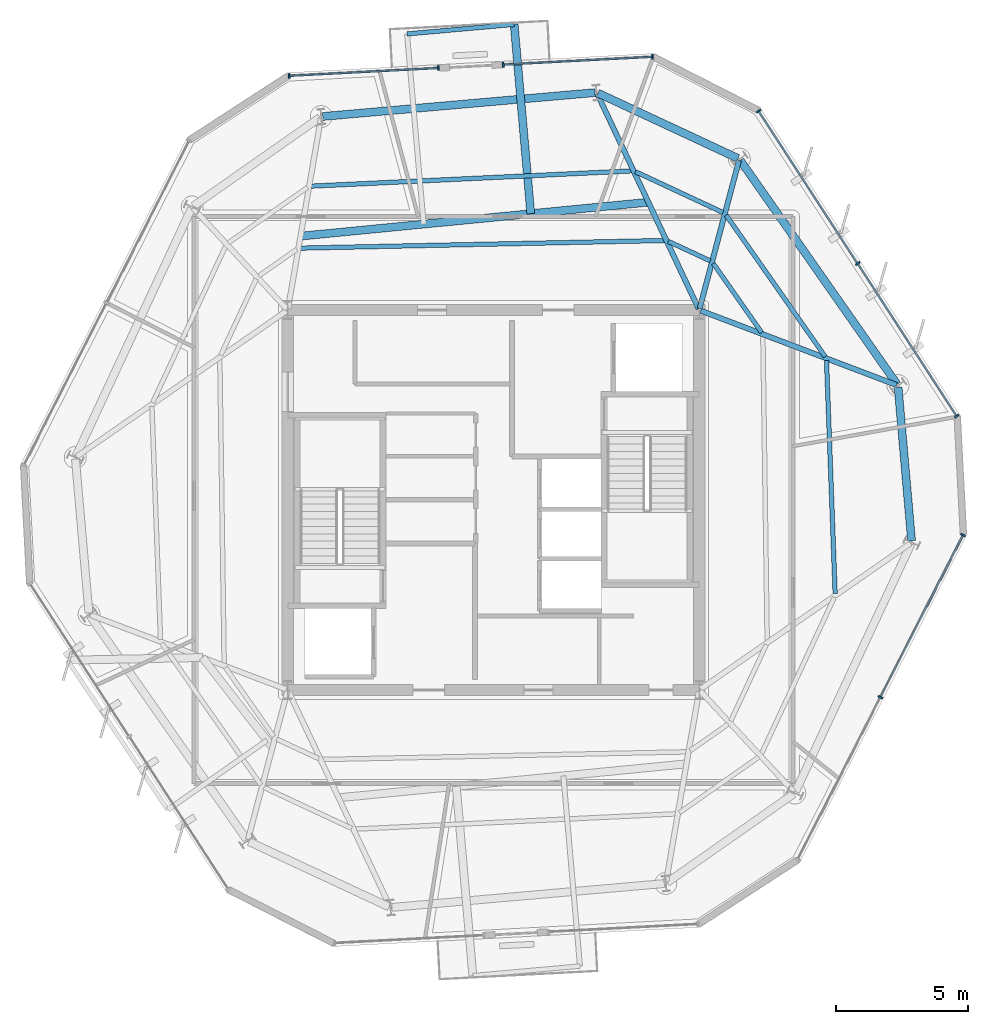
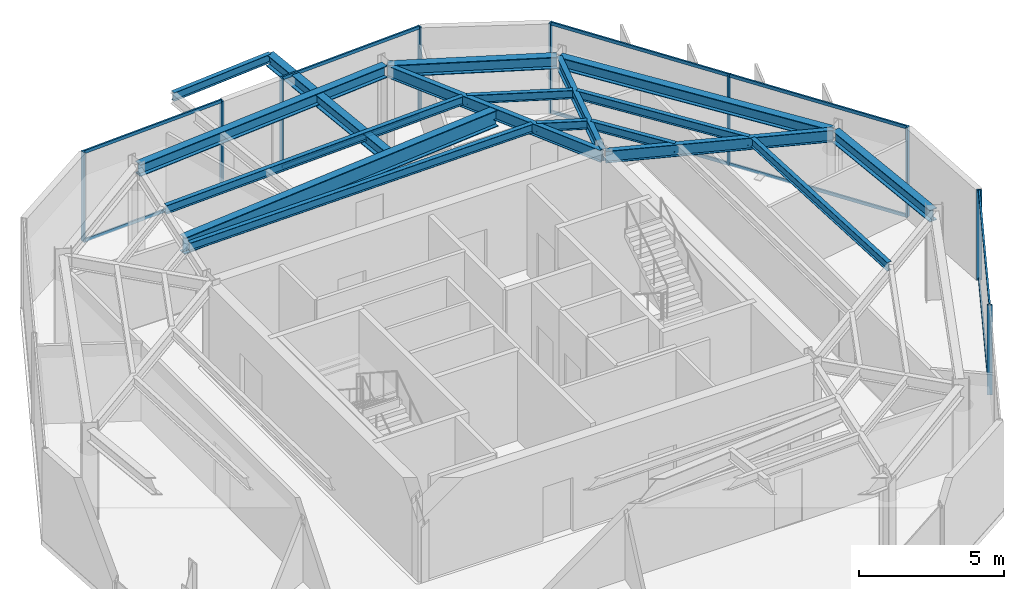
# One storey, part 4 of 11: 19 members, 17 beams, 4 elements without a shape of their own.
"""IFC4 building model written with IfcOpenShell, lengths in metres."""

from ifc_helpers import new_model, si_unit, direction, frame, origin, origin_2d, place, context, subcontext, project, spatial, rectangle, i_section, extrude, material, layer, layer_set, material_profile, profile_set, type_object, element, aggregate, save


model = new_model("IFC4")

# Units and contexts
model_context = context("Model", 3, precision=1e-05, world=origin(), true_north=direction((0.0, 1.0)))
body_context = subcontext(model_context, "Body", "Model", "MODEL_VIEW")
ifc_project = project(units=[si_unit("LENGTHUNIT", "METRE"), si_unit("AREAUNIT", "SQUARE_METRE"), si_unit("VOLUMEUNIT", "CUBIC_METRE"), si_unit("PLANEANGLEUNIT", "RADIAN"), si_unit("MASSUNIT", "GRAM", prefix="KILO")], contexts=[model_context])

# Site, building, storey
site_placement = place(None, origin())
site = spatial("IfcSite", under=ifc_project, at=site_placement, CompositionType="ELEMENT")
building_placement = place(site_placement, origin())
building = spatial("IfcBuilding", under=site, at=building_placement, Name="Kranzbogen Civic Tower", CompositionType="ELEMENT")
storey_placement = place(building_placement, frame((0.0, 0.0, 278.199951171875)))
storey = spatial("IfcBuildingStorey", under=building, at=storey_placement, Name="L67", CompositionType="ELEMENT", Elevation=278.199951171875)

# Curtain wall, members
ifc_material_1 = material(Name="Pale Anodised Aluminium", Category="aluminium")
ifc_layer = layer(ifc_material_1, 0.219970703125, Name="Pale Anodised Aluminium")
ifc_layer_set = layer_set([ifc_layer], Name="Pale Anodised Aluminium")
curtain_wall_type = type_object("IfcCurtainWallType", Name="Zone 4 Stick Curtain Wall System CW-05", PredefinedType="USERDEFINED", material=ifc_layer_set)
curtain_wall_1_placement = place(storey_placement, origin())
curtain_wall_1 = element("IfcCurtainWall", 1, at=curtain_wall_1_placement, inside=storey, type_object=curtain_wall_type, Name="L67 curtain wall CW-L67-F1-S1", ObjectType="STICK CURTAIN WALL", PredefinedType="USERDEFINED")
ifc_material_profile_1 = material_profile(ifc_material_1, rectangle(XDim=0.06494140625, YDim=0.179931640625, at=origin_2d()), Name="ALU-M 65x180")
ifc_profile_set_1 = profile_set([ifc_material_profile_1], Name="Pale Anodised Aluminium")
member_type_1 = type_object("IfcMemberType", Name="Curtain Wall Mullion ALU-M 65x180", PredefinedType="MULLION", material=ifc_profile_set_1)
member_1_placement = place(storey_placement, frame((31.026123046875, 41.800537109375, 0.0), z_axis=(0.0, 0.0, 1.0), x_axis=(-0.998626979061, -0.052384699027, 0.0)))
member_1 = element("IfcMember", 2, at=member_1_placement, type_object=member_type_1, Name="CW-05 mullion 1", PredefinedType="MULLION", context=body_context, shape_type="SweptSolid", body=[
    extrude(rectangle(XDim=0.06494140625, YDim=0.179931640625, at=origin_2d()), origin(), (0.0, 0.0, 1.0), 3.780029296875),
])
member_2_placement = place(storey_placement, frame((25.366943359375, 41.503662109375, 0.0), z_axis=(0.0, 0.0, 1.0), x_axis=(-0.998626979061, -0.052384699027, 0.0)))
member_2 = element("IfcMember", 3, at=member_2_placement, type_object=member_type_1, Name="CW-05 mullion 2", PredefinedType="MULLION", context=body_context, shape_type="SweptSolid", body=[
    extrude(rectangle(XDim=0.06494140625, YDim=0.179931640625, at=origin_2d()), origin(), (0.0, 0.0, 1.0), 3.780029296875),
])

curtain_wall_2_placement = place(storey_placement, origin())
curtain_wall_2 = element("IfcCurtainWall", 4, at=curtain_wall_2_placement, inside=storey, type_object=curtain_wall_type, Name="L67 curtain wall CW-L67-F1-S2", ObjectType="STICK CURTAIN WALL", PredefinedType="USERDEFINED")
member_3_placement = place(storey_placement, frame((22.91015625, 41.37548828125, 0.0), z_axis=(0.0, 0.0, 1.0), x_axis=(-0.998626979061, -0.052384699027, 0.0)))
member_3 = element("IfcMember", 5, at=member_3_placement, type_object=member_type_1, Name="CW-05 mullion 1", PredefinedType="MULLION", context=body_context, shape_type="SweptSolid", body=[
    extrude(rectangle(XDim=0.06494140625, YDim=0.179931640625, at=origin_2d()), origin(), (0.0, 0.0, 1.0), 3.780029296875),
])
member_4_placement = place(storey_placement, frame((17.2509765625, 41.07861328125, 0.0), z_axis=(0.0, 0.0, 1.0), x_axis=(-0.998626979061, -0.052384699027, 0.0)))
member_4 = element("IfcMember", 6, at=member_4_placement, type_object=member_type_1, Name="CW-05 mullion 2", PredefinedType="MULLION", context=body_context, shape_type="SweptSolid", body=[
    extrude(rectangle(XDim=0.06494140625, YDim=0.179931640625, at=origin_2d()), origin(), (0.0, 0.0, 1.0), 3.780029296875),
])

curtain_wall_3_placement = place(storey_placement, origin())
curtain_wall_3 = element("IfcCurtainWall", 7, at=curtain_wall_3_placement, inside=storey, type_object=curtain_wall_type, Name="L67 curtain wall CW-L67-F5", ObjectType="STICK CURTAIN WALL", PredefinedType="USERDEFINED")
member_5_placement = place(storey_placement, frame((39.66796875, 17.52587890625, 0.0), z_axis=(0.0, 0.0, 1.0), x_axis=(0.453899828869, 0.891052717494, 0.0)))
member_5 = element("IfcMember", 8, at=member_5_placement, type_object=member_type_1, Name="CW-05 mullion 2", PredefinedType="MULLION", context=body_context, shape_type="SweptSolid", body=[
    extrude(rectangle(XDim=0.06494140625, YDim=0.179931640625, at=origin_2d()), origin(), (0.0, 0.0, 1.0), 3.780029296875),
])
member_6_placement = place(storey_placement, frame((42.79833984375, 23.67138671875, 0.0), z_axis=(0.0, 0.0, 1.0), x_axis=(0.453899828869, 0.891052717494, 0.0)))
member_6 = element("IfcMember", 9, at=member_6_placement, type_object=member_type_1, Name="CW-05 mullion 3", PredefinedType="MULLION", context=body_context, shape_type="SweptSolid", body=[
    extrude(rectangle(XDim=0.06494140625, YDim=0.179931640625, at=origin_2d()), origin(), (0.0, 0.0, 1.0), 3.780029296875),
])

curtain_wall_4_placement = place(storey_placement, origin())
curtain_wall_4 = element("IfcCurtainWall", 10, at=curtain_wall_4_placement, inside=storey, type_object=curtain_wall_type, Name="L67 curtain wall CW-L67-F6", ObjectType="STICK CURTAIN WALL", PredefinedType="USERDEFINED")
member_7_placement = place(storey_placement, frame((42.562744140625, 28.18212890625, 0.0), z_axis=(0.0, 0.0, 1.0), x_axis=(-0.544648305375, 0.838664547631, 0.0)))
member_7 = element("IfcMember", 11, at=member_7_placement, type_object=member_type_1, Name="CW-05 mullion 1", PredefinedType="MULLION", context=body_context, shape_type="SweptSolid", body=[
    extrude(rectangle(XDim=0.06494140625, YDim=0.179931640625, at=origin_2d()), origin(), (0.0, 0.0, 1.0), 3.780029296875),
])
member_8_placement = place(storey_placement, frame((38.806396484375, 33.966064453125, 0.0), z_axis=(0.0, 0.0, 1.0), x_axis=(-0.544648305375, 0.838664547631, 0.0)))
member_8 = element("IfcMember", 12, at=member_8_placement, type_object=member_type_1, Name="CW-05 mullion 2", PredefinedType="MULLION", context=body_context, shape_type="SweptSolid", body=[
    extrude(rectangle(XDim=0.06494140625, YDim=0.179931640625, at=origin_2d()), origin(), (0.0, 0.0, 1.0), 3.780029296875),
])
member_9_placement = place(storey_placement, frame((35.05029296875, 39.749755859375, 0.0), z_axis=(0.0, 0.0, 1.0), x_axis=(-0.544648305375, 0.838664547631, 0.0)))
member_9 = element("IfcMember", 13, at=member_9_placement, type_object=member_type_1, Name="CW-05 mullion 3", PredefinedType="MULLION", context=body_context, shape_type="SweptSolid", body=[
    extrude(rectangle(XDim=0.06494140625, YDim=0.179931640625, at=origin_2d()), origin(), (0.0, 0.0, 1.0), 3.780029296875),
])

# Member
ifc_material_profile_2 = material_profile(ifc_material_1, rectangle(XDim=0.06494140625, YDim=0.135009765625, at=origin_2d()), Name="ALU-T 65x135")
ifc_profile_set_2 = profile_set([ifc_material_profile_2], Name="Pale Anodised Aluminium")
member_type_2 = type_object("IfcMemberType", Name="Curtain Wall Transom ALU-T 65x135", PredefinedType="USERDEFINED", material=ifc_profile_set_2)
member_10_placement = place(storey_placement, frame((30.99609375, 41.798828125, 0.030029296875), z_axis=(-0.998627075846, -0.052382853939, 0.0), x_axis=(0.052382853939, -0.998627075846, 0.0)))
member_10 = element("IfcMember", 14, at=member_10_placement, type_object=member_type_2, Name="CW-05 transom 1.1", ObjectType="TRANSOM", PredefinedType="USERDEFINED", context=body_context, shape_type="SweptSolid", body=[
    extrude(rectangle(XDim=0.06494140625, YDim=0.135009765625, at=origin_2d()), origin(), (0.0, 0.0, 1.0), 5.60693359375),
])

member_11_placement = place(storey_placement, frame((30.99609375, 41.798828125, 3.75), z_axis=(-0.998627075846, -0.052382853939, 0.0), x_axis=(0.052382853939, -0.998627075846, 0.0)))
member_11 = element("IfcMember", 15, at=member_11_placement, type_object=member_type_2, Name="CW-05 transom 1.2", ObjectType="TRANSOM", PredefinedType="USERDEFINED", context=body_context, shape_type="SweptSolid", body=[
    extrude(rectangle(XDim=0.06494140625, YDim=0.135009765625, at=origin_2d()), origin(), (0.0, 0.0, 1.0), 5.60693359375),
])

aggregate(curtain_wall_1, [member_1, member_2, member_10, member_11])

member_12_placement = place(storey_placement, frame((22.880126953125, 41.373779296875, 0.030029296875), z_axis=(-0.998627075846, -0.052382853939, 0.0), x_axis=(0.052382853939, -0.998627075846, 0.0)))
member_12 = element("IfcMember", 16, at=member_12_placement, type_object=member_type_2, Name="CW-05 transom 1.1", ObjectType="TRANSOM", PredefinedType="USERDEFINED", context=body_context, shape_type="SweptSolid", body=[
    extrude(rectangle(XDim=0.06494140625, YDim=0.135009765625, at=origin_2d()), origin(), (0.0, 0.0, 1.0), 5.60693359375),
])

member_13_placement = place(storey_placement, frame((22.880126953125, 41.373779296875, 3.75), z_axis=(-0.998627075846, -0.052382853939, 0.0), x_axis=(0.052382853939, -0.998627075846, 0.0)))
member_13 = element("IfcMember", 17, at=member_13_placement, type_object=member_type_2, Name="CW-05 transom 1.2", ObjectType="TRANSOM", PredefinedType="USERDEFINED", context=body_context, shape_type="SweptSolid", body=[
    extrude(rectangle(XDim=0.06494140625, YDim=0.135009765625, at=origin_2d()), origin(), (0.0, 0.0, 1.0), 5.60693359375),
])

aggregate(curtain_wall_2, [member_3, member_4, member_12, member_13])

member_14_placement = place(storey_placement, frame((39.681640625, 17.552734375, 0.030029296875), z_axis=(0.453886194099, 0.891059662877, 0.0), x_axis=(-0.891059662877, 0.453886194099, 0.0)))
member_14 = element("IfcMember", 18, at=member_14_placement, type_object=member_type_2, Name="CW-05 transom 2.1", ObjectType="TRANSOM", PredefinedType="USERDEFINED", context=body_context, shape_type="SweptSolid", body=[
    extrude(rectangle(XDim=0.06494140625, YDim=0.135009765625, at=origin_2d()), origin(), (0.0, 0.0, 1.0), 6.836669921875),
])

member_15_placement = place(storey_placement, frame((39.681640625, 17.552734375, 3.75), z_axis=(0.453886194099, 0.891059662877, 0.0), x_axis=(-0.891059662877, 0.453886194099, 0.0)))
member_15 = element("IfcMember", 19, at=member_15_placement, type_object=member_type_2, Name="CW-05 transom 2.2", ObjectType="TRANSOM", PredefinedType="USERDEFINED", context=body_context, shape_type="SweptSolid", body=[
    extrude(rectangle(XDim=0.06494140625, YDim=0.135009765625, at=origin_2d()), origin(), (0.0, 0.0, 1.0), 6.836669921875),
])

aggregate(curtain_wall_3, [member_5, member_6, member_14, member_15])

member_16_placement = place(storey_placement, frame((42.54638671875, 28.207275390625, 0.030029296875), z_axis=(-0.544655679678, 0.83865975854, 0.0), x_axis=(-0.83865975854, -0.544655679678, 0.0)))
member_16 = element("IfcMember", 20, at=member_16_placement, type_object=member_type_2, Name="CW-05 transom 1.1", ObjectType="TRANSOM", PredefinedType="USERDEFINED", context=body_context, shape_type="SweptSolid", body=[
    extrude(rectangle(XDim=0.06494140625, YDim=0.135009765625, at=origin_2d()), origin(), (0.0, 0.0, 1.0), 6.836669921875),
])

member_17_placement = place(storey_placement, frame((42.54638671875, 28.207275390625, 3.75), z_axis=(-0.544655679678, 0.83865975854, 0.0), x_axis=(-0.83865975854, -0.544655679678, 0.0)))
member_17 = element("IfcMember", 21, at=member_17_placement, type_object=member_type_2, Name="CW-05 transom 1.2", ObjectType="TRANSOM", PredefinedType="USERDEFINED", context=body_context, shape_type="SweptSolid", body=[
    extrude(rectangle(XDim=0.06494140625, YDim=0.135009765625, at=origin_2d()), origin(), (0.0, 0.0, 1.0), 6.836669921875),
])

member_18_placement = place(storey_placement, frame((38.7900390625, 33.9912109375, 0.030029296875), z_axis=(-0.544646874111, 0.838665477125, 0.0), x_axis=(-0.838665477125, -0.544646874111, 0.0)))
member_18 = element("IfcMember", 22, at=member_18_placement, type_object=member_type_2, Name="CW-05 transom 2.1", ObjectType="TRANSOM", PredefinedType="USERDEFINED", context=body_context, shape_type="SweptSolid", body=[
    extrude(rectangle(XDim=0.06494140625, YDim=0.135009765625, at=origin_2d()), origin(), (0.0, 0.0, 1.0), 6.83642578125),
])

member_19_placement = place(storey_placement, frame((38.7900390625, 33.9912109375, 3.75), z_axis=(-0.544646874111, 0.838665477125, 0.0), x_axis=(-0.838665477125, -0.544646874111, 0.0)))
member_19 = element("IfcMember", 23, at=member_19_placement, type_object=member_type_2, Name="CW-05 transom 2.2", ObjectType="TRANSOM", PredefinedType="USERDEFINED", context=body_context, shape_type="SweptSolid", body=[
    extrude(rectangle(XDim=0.06494140625, YDim=0.135009765625, at=origin_2d()), origin(), (0.0, 0.0, 1.0), 6.83642578125),
])

aggregate(curtain_wall_4, [member_7, member_8, member_9, member_16, member_17, member_18, member_19])

# Beams
ifc_material_2 = material(Name="Steel S355", Category="steel")
ifc_material_profile_3 = material_profile(ifc_material_2, i_section(OverallWidth=0.300048828125, OverallDepth=0.5, WebThickness=0.014404296875, FlangeThickness=0.028076171875, at=origin_2d()), Name="HEB 500")
ifc_profile_set_3 = profile_set([ifc_material_profile_3], Name="Steel S355")
beam_type_1 = type_object("IfcBeamType", Name="Perimeter Tube Spandrel Beam HEB 500", PredefinedType="SPANDREL", material=ifc_profile_set_3)
beam_1_placement = place(storey_placement, frame((40.85009765625, 23.449951171875, 3.530029296875), z_axis=(-0.087326362434, 0.99617975608, 0.0), x_axis=(-0.99617975608, -0.087326362434, 0.0)))
element("IfcBeam", 24, at=beam_1_placement, inside=storey, type_object=beam_type_1, Name="L67 perimeter spandrel beam 06", PredefinedType="SPANDREL", context=body_context, shape_type="SweptSolid", body=[
    extrude(i_section(OverallWidth=0.300048828125, OverallDepth=0.5, WebThickness=0.014404296875, FlangeThickness=0.028076171875, at=origin_2d()), origin(), (0.0, 0.0, 1.0), 5.8515625),
])
beam_2_placement = place(storey_placement, frame((40.300048828125, 29.387939453125, 3.530029296875), z_axis=(-0.573577759301, 0.819151117948, 0.0), x_axis=(-0.819151117948, -0.573577759301, 0.0)))
element("IfcBeam", 25, at=beam_2_placement, inside=storey, type_object=beam_type_1, Name="L67 perimeter spandrel beam 07", PredefinedType="SPANDREL", context=body_context, shape_type="SweptSolid", body=[
    extrude(i_section(OverallWidth=0.300048828125, OverallDepth=0.5, WebThickness=0.014404296875, FlangeThickness=0.028076171875, at=origin_2d()), origin(), (0.0, 0.0, 1.0), 10.36328125),
])
beam_3_placement = place(storey_placement, frame((34.26806640625, 37.950927734375, 3.530029296875), z_axis=(-0.906289661556, 0.422657129784, 0.0), x_axis=(-0.422657129784, -0.906289661556, 0.0)))
element("IfcBeam", 26, at=beam_3_placement, inside=storey, type_object=beam_type_1, Name="L67 perimeter spandrel beam 08", PredefinedType="SPANDREL", context=body_context, shape_type="SweptSolid", body=[
    extrude(i_section(OverallWidth=0.300048828125, OverallDepth=0.5, WebThickness=0.014404296875, FlangeThickness=0.028076171875, at=origin_2d()), origin(), (0.0, 0.0, 1.0), 5.853759765625),
])
beam_4_placement = place(storey_placement, frame((28.84912109375, 40.445068359375, 3.530029296875), z_axis=(-0.996186373839, -0.087250837114, 0.0), x_axis=(0.087250837114, -0.996186373839, 0.0)))
element("IfcBeam", 27, at=beam_4_placement, inside=storey, type_object=beam_type_1, Name="L67 perimeter spandrel beam 09", PredefinedType="SPANDREL", context=body_context, shape_type="SweptSolid", body=[
    extrude(i_section(OverallWidth=0.300048828125, OverallDepth=0.5, WebThickness=0.014404296875, FlangeThickness=0.028076171875, at=origin_2d()), origin(), (0.0, 0.0, 1.0), 10.361572265625),
])
beam_5_placement = place(storey_placement, frame((26.4130859375, 35.85498046875, 3.5), z_axis=(-0.087327110333, 0.996179690518, 0.0), x_axis=(-0.996179690518, -0.087327110333, 0.0)))
element("IfcBeam", 28, at=beam_5_placement, inside=storey, type_object=beam_type_1, Name="L68 back-spanned terrace beam L68-TB2-1", PredefinedType="SPANDREL", context=body_context, shape_type="SweptSolid", body=[
    extrude(i_section(OverallWidth=0.300048828125, OverallDepth=0.5, WebThickness=0.014404296875, FlangeThickness=0.028076171875, at=origin_2d()), origin(), (0.0, 0.0, 1.0), 7.20458984375),
])
ifc_material_profile_4 = material_profile(ifc_material_2, i_section(OverallWidth=0.300048828125, OverallDepth=0.699951171875, WebThickness=0.01708984375, FlangeThickness=0.031982421875, at=origin_2d()), Name="HEB 700")
ifc_profile_set_4 = profile_set([ifc_material_profile_4], Name="Steel S355")
beam_type_2 = type_object("IfcBeamType", Name="Perimeter Tube Spandrel Beam HEB 700", PredefinedType="SPANDREL", material=ifc_profile_set_4)
beam_6_placement = place(storey_placement, frame((30.87109375, 36.2900390625, 3.400146484375), z_axis=(-0.995270463506, -0.097142701589, 0.0), x_axis=(0.097142701589, -0.995270463506, 0.0)))
element("IfcBeam", 29, at=beam_6_placement, inside=storey, type_object=beam_type_2, Name="L68 balcony back-span header girder L68-TB2", PredefinedType="SPANDREL", context=body_context, shape_type="SweptSolid", body=[
    extrude(i_section(OverallWidth=0.300048828125, OverallDepth=0.699951171875, WebThickness=0.01708984375, FlangeThickness=0.031982421875, at=origin_2d()), origin(), (0.0, 0.0, 1.0), 13.249755859375),
])
ifc_material_profile_5 = material_profile(ifc_material_2, i_section(OverallWidth=0.199951171875, OverallDepth=0.5, WebThickness=0.01025390625, FlangeThickness=0.01611328125, at=origin_2d()), Name="IPE 500")
ifc_profile_set_5 = profile_set([ifc_material_profile_5], Name="Steel S355")
beam_type_3 = type_object("IfcBeamType", Name="Radial Tower Floor Girder IPE 500", PredefinedType="BEAM", material=ifc_profile_set_5)
beam_7_placement = place(storey_placement, frame((40.278076171875, 29.360107421875, 3.530029296875), z_axis=(-0.934848709689, 0.355046320913, 0.0), x_axis=(-0.355046320913, -0.934848709689, 0.0)))
element("IfcBeam", 30, at=beam_7_placement, inside=storey, type_object=beam_type_3, Name="L67 radial floor girder 07", PredefinedType="BEAM", context=body_context, shape_type="SweptSolid", body=[
    extrude(i_section(OverallWidth=0.199951171875, OverallDepth=0.5, WebThickness=0.01025390625, FlangeThickness=0.01611328125, at=origin_2d()), origin(), (0.0, 0.0, 1.0), 7.939453125),
])
beam_8_placement = place(storey_placement, frame((34.306884765625, 37.867919921875, 3.530029296875), z_axis=(-0.257016017622, -0.966407143333, 0.0), x_axis=(0.966407143333, -0.257016017622, 0.0)))
element("IfcBeam", 31, at=beam_8_placement, inside=storey, type_object=beam_type_3, Name="L67 radial floor girder 08", PredefinedType="BEAM", context=body_context, shape_type="SweptSolid", body=[
    extrude(i_section(OverallWidth=0.199951171875, OverallDepth=0.5, WebThickness=0.01025390625, FlangeThickness=0.01611328125, at=origin_2d()), origin(), (0.0, 0.0, 1.0), 5.804931640625),
])
beam_9_placement = place(storey_placement, frame((28.93505859375, 40.39599609375, 3.530029296875), z_axis=(0.426460441273, -0.904506214478, 0.0), x_axis=(0.904506214478, 0.426460441273, 0.0)))
element("IfcBeam", 32, at=beam_9_placement, inside=storey, type_object=beam_type_3, Name="L67 radial floor girder 09", PredefinedType="BEAM", context=body_context, shape_type="SweptSolid", body=[
    extrude(i_section(OverallWidth=0.199951171875, OverallDepth=0.5, WebThickness=0.01025390625, FlangeThickness=0.01611328125, at=origin_2d()), origin(), (0.0, 0.0, 1.0), 9.001708984375),
])
ifc_material_profile_6 = material_profile(ifc_material_2, i_section(OverallWidth=0.169921875, OverallDepth=0.360107421875, WebThickness=0.008056640625, FlangeThickness=0.0126953125, at=origin_2d()), Name="IPE 360")
ifc_profile_set_6 = profile_set([ifc_material_profile_6], Name="Steel S355")
beam_type_4 = type_object("IfcBeamType", Name="Secondary Composite Floor Joist IPE 360", PredefinedType="JOIST", material=ifc_profile_set_6)
beam_10_placement = place(storey_placement, frame((37.951904296875, 21.4580078125, 3.60009765625), z_axis=(-0.036992246074, 0.999315552631, 0.0), x_axis=(-0.999315552631, -0.036992246074, 0.0)))
element("IfcBeam", 33, at=beam_10_placement, inside=storey, type_object=beam_type_4, Name="L67 secondary floor joist 1.06", PredefinedType="JOIST", context=body_context, shape_type="SweptSolid", body=[
    extrude(i_section(OverallWidth=0.169921875, OverallDepth=0.360107421875, WebThickness=0.008056640625, FlangeThickness=0.0126953125, at=origin_2d()), origin(), (0.0, 0.0, 1.0), 8.837158203125),
])
beam_11_placement = place(storey_placement, frame((37.575927734375, 30.43408203125, 3.60009765625), z_axis=(-0.573499872939, 0.819205649235, 0.0), x_axis=(-0.819205649235, -0.573499872939, 0.0)))
element("IfcBeam", 34, at=beam_11_placement, inside=storey, type_object=beam_type_4, Name="L67 secondary floor joist 1.07", PredefinedType="JOIST", context=body_context, shape_type="SweptSolid", body=[
    extrude(i_section(OverallWidth=0.169921875, OverallDepth=0.360107421875, WebThickness=0.008056640625, FlangeThickness=0.0126953125, at=origin_2d()), origin(), (0.0, 0.0, 1.0), 6.549072265625),
])
beam_12_placement = place(storey_placement, frame((35.1650390625, 31.35009765625, 3.60009765625), z_axis=(-0.573498248491, 0.819206786457, 0.0), x_axis=(-0.819206786457, -0.573498248491, 0.0)))
element("IfcBeam", 35, at=beam_12_placement, inside=storey, type_object=beam_type_4, Name="L67 secondary floor joist 2.07", PredefinedType="JOIST", context=body_context, shape_type="SweptSolid", body=[
    extrude(i_section(OverallWidth=0.169921875, OverallDepth=0.360107421875, WebThickness=0.008056640625, FlangeThickness=0.0126953125, at=origin_2d()), origin(), (0.0, 0.0, 1.0), 3.194580078125),
])
beam_13_placement = place(storey_placement, frame((33.701904296875, 35.89794921875, 3.60009765625), z_axis=(-0.906303996948, 0.422626389517, 0.0), x_axis=(-0.422626389517, -0.906303996948, 0.0)))
element("IfcBeam", 36, at=beam_13_placement, inside=storey, type_object=beam_type_4, Name="L67 secondary floor joist 1.08", PredefinedType="JOIST", context=body_context, shape_type="SweptSolid", body=[
    extrude(i_section(OverallWidth=0.169921875, OverallDepth=0.360107421875, WebThickness=0.008056640625, FlangeThickness=0.0126953125, at=origin_2d()), origin(), (0.0, 0.0, 1.0), 3.6630859375),
])
beam_14_placement = place(storey_placement, frame((33.215087890625, 34.06591796875, 3.60009765625), z_axis=(-0.906432174342, 0.422351409751, 0.0), x_axis=(-0.422351409751, -0.906432174342, 0.0)))
element("IfcBeam", 37, at=beam_14_placement, inside=storey, type_object=beam_type_4, Name="L67 secondary floor joist 2.08", PredefinedType="JOIST", context=body_context, shape_type="SweptSolid", body=[
    extrude(i_section(OverallWidth=0.169921875, OverallDepth=0.360107421875, WebThickness=0.008056640625, FlangeThickness=0.0126953125, at=origin_2d()), origin(), (0.0, 0.0, 1.0), 1.751953125),
])
beam_15_placement = place(storey_placement, frame((30.22998046875, 37.47607421875, 3.60009765625), z_axis=(-0.998871634781, -0.047491654324, 0.0), x_axis=(0.047491654324, -0.998871634781, 0.0)))
element("IfcBeam", 38, at=beam_15_placement, inside=storey, type_object=beam_type_4, Name="L67 secondary floor joist 1.09", PredefinedType="JOIST", context=body_context, shape_type="SweptSolid", body=[
    extrude(i_section(OverallWidth=0.169921875, OverallDepth=0.360107421875, WebThickness=0.008056640625, FlangeThickness=0.0126953125, at=origin_2d()), origin(), (0.0, 0.0, 1.0), 12.152587890625),
])
beam_16_placement = place(storey_placement, frame((31.47509765625, 34.837890625, 3.60009765625), z_axis=(-0.999780746893, -0.020939392104, 0.0), x_axis=(0.020939392104, -0.999780746893, 0.0)))
element("IfcBeam", 39, at=beam_16_placement, inside=storey, type_object=beam_type_4, Name="L67 secondary floor joist 2.09", PredefinedType="JOIST", context=body_context, shape_type="SweptSolid", body=[
    extrude(i_section(OverallWidth=0.169921875, OverallDepth=0.360107421875, WebThickness=0.008056640625, FlangeThickness=0.0126953125, at=origin_2d()), origin(), (0.0, 0.0, 1.0), 13.79296875),
])
beam_17_placement = place(storey_placement, frame((25.783935546875, 43.031982421875, 3.570068359375), z_axis=(-0.996053027398, -0.08876016342, 0.0), x_axis=(0.08876016342, -0.996053027398, 0.0)))
element("IfcBeam", 40, at=beam_17_placement, inside=storey, type_object=beam_type_4, Name="L68 terrace outer edge trimmer L68-TB2", PredefinedType="JOIST", context=body_context, shape_type="SweptSolid", body=[
    extrude(i_section(OverallWidth=0.169921875, OverallDepth=0.360107421875, WebThickness=0.008056640625, FlangeThickness=0.0126953125, at=origin_2d()), origin(), (0.0, 0.0, 1.0), 4.0791015625),
])

save(model, "model.ifc")
